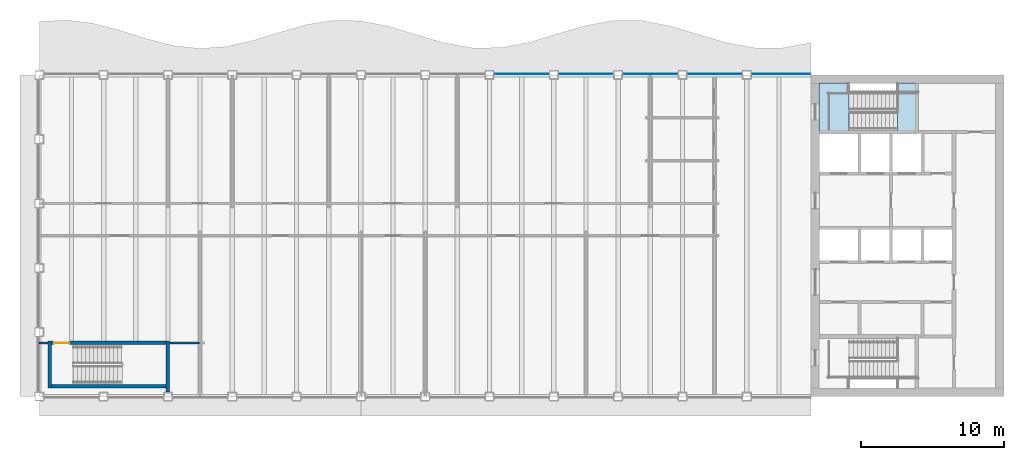
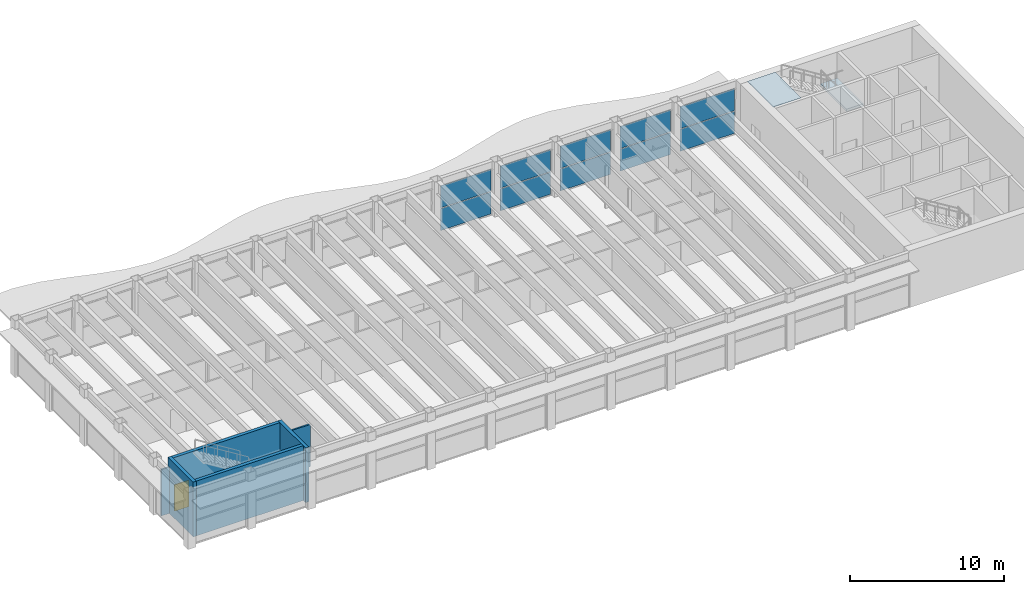
# One storey, part 8 of 15: 10 plates, 6 walls, 2 slabs, 1 door, 1 opening, 6 elements without a shape of their own.
"""IFC4 building model written with IfcOpenShell, lengths in metres."""

from ifc_helpers import new_model, si_unit, direction, frame, frame_2d, origin, origin_2d, place, context, subcontext, project, spatial, polyline, rectangle, outline, extrude, material, layer, layer_set, type_object, element, fill, aggregate, save


model = new_model("IFC4")

# Units and contexts
model_context = context("Model", 3, precision=1e-05, world=origin(), true_north=direction((0.0, 1.0)))
body_context = subcontext(model_context, "Body", "Model", "MODEL_VIEW")
ifc_project = project(units=[si_unit("LENGTHUNIT", "METRE"), si_unit("AREAUNIT", "SQUARE_METRE"), si_unit("VOLUMEUNIT", "CUBIC_METRE"), si_unit("PLANEANGLEUNIT", "RADIAN"), si_unit("MASSUNIT", "GRAM", prefix="KILO")], contexts=[model_context])

# Site, building, storey
site_placement = place(None, origin())
site = spatial("IfcSite", under=ifc_project, at=site_placement, CompositionType="ELEMENT")
building_placement = place(site_placement, origin())
building = spatial("IfcBuilding", under=site, at=building_placement, Name="Sennacour Bend Tower", CompositionType="ELEMENT")
storey_placement = place(building_placement, frame((0.0, 0.0, 318.5)))
storey = spatial("IfcBuildingStorey", under=building, at=storey_placement, Name="L73", CompositionType="ELEMENT", Elevation=318.5)

# Curtain wall, plates
ifc_material_1 = material(Name="Bronze anodised aluminium curtain wall with clear glass", Category="aluminium")
curtain_wall_type = type_object("IfcCurtainWallType", Name="CURTAIN WALL EXEC", PredefinedType="NOTDEFINED", material=ifc_material_1)
curtain_wall_1_placement = place(storey_placement, origin())
curtain_wall_1 = element("IfcCurtainWall", 1, at=curtain_wall_1_placement, inside=storey, type_object=curtain_wall_type, Name="Executive floor glass wall L73", PredefinedType="NOTDEFINED")
ifc_material_2 = material(Name="Clear low-emissivity glass", Category="glass")
ifc_layer_1 = layer(ifc_material_2, 0.031982421875, Name="Clear low-emissivity glass", Category="glass")
ifc_layer_set_1 = layer_set([ifc_layer_1], Name="Clear low-emissivity glass")
plate_type = type_object("IfcPlateType", Name="PNL-GLASS-IGU32", PredefinedType="CURTAIN_PANEL", material=ifc_layer_set_1)
plate_1_placement = place(storey_placement, frame((51.89990234375, 22.574951171875, 0.06005859375), z_axis=(0.0, 0.0, 1.0), x_axis=(-1.0, 0.0, 0.0)))
plate_1 = element("IfcPlate", 2, at=plate_1_placement, type_object=plate_type, Name="GW3 curtain wall panel 1.1", PredefinedType="CURTAIN_PANEL", context=body_context, shape_type="SweptSolid", body=[
    extrude(rectangle(XDim=4.080078125, YDim=0.031982421875, at=origin_2d()), origin(), (0.0, 0.0, 1.0), 1.74609375),
])
plate_2_placement = place(storey_placement, frame((51.89990234375, 22.574951171875, 1.865966796875), z_axis=(0.0, 0.0, 1.0), x_axis=(-1.0, 0.0, 0.0)))
plate_2 = element("IfcPlate", 3, at=plate_2_placement, type_object=plate_type, Name="GW3 curtain wall panel 1.2", PredefinedType="CURTAIN_PANEL", context=body_context, shape_type="SweptSolid", body=[
    extrude(rectangle(XDim=4.080078125, YDim=0.031982421875, at=origin_2d()), origin(), (0.0, 0.0, 1.0), 1.74609375),
])
aggregate(curtain_wall_1, [plate_1, plate_2])

curtain_wall_2_placement = place(storey_placement, origin())
curtain_wall_2 = element("IfcCurtainWall", 4, at=curtain_wall_2_placement, inside=storey, type_object=curtain_wall_type, Name="Executive floor glass wall L73", PredefinedType="NOTDEFINED")
plate_3_placement = place(storey_placement, frame((47.25, 22.574951171875, 0.06005859375), z_axis=(0.0, 0.0, 1.0), x_axis=(-1.0, 0.0, 0.0)))
plate_3 = element("IfcPlate", 5, at=plate_3_placement, type_object=plate_type, Name="GW3 curtain wall panel 1.1", PredefinedType="CURTAIN_PANEL", context=body_context, shape_type="SweptSolid", body=[
    extrude(rectangle(XDim=3.780029296875, YDim=0.031982421875, at=origin_2d()), origin(), (0.0, 0.0, 1.0), 1.74609375),
])
plate_4_placement = place(storey_placement, frame((47.25, 22.574951171875, 1.865966796875), z_axis=(0.0, 0.0, 1.0), x_axis=(-1.0, 0.0, 0.0)))
plate_4 = element("IfcPlate", 6, at=plate_4_placement, type_object=plate_type, Name="GW3 curtain wall panel 1.2", PredefinedType="CURTAIN_PANEL", context=body_context, shape_type="SweptSolid", body=[
    extrude(rectangle(XDim=3.780029296875, YDim=0.031982421875, at=origin_2d()), origin(), (0.0, 0.0, 1.0), 1.74609375),
])
aggregate(curtain_wall_2, [plate_3, plate_4])

curtain_wall_3_placement = place(storey_placement, origin())
curtain_wall_3 = element("IfcCurtainWall", 7, at=curtain_wall_3_placement, inside=storey, type_object=curtain_wall_type, Name="Executive floor glass wall L73", PredefinedType="NOTDEFINED")
plate_5_placement = place(storey_placement, frame((42.75, 22.574951171875, 0.06005859375), z_axis=(0.0, 0.0, 1.0), x_axis=(-1.0, 0.0, 0.0)))
plate_5 = element("IfcPlate", 8, at=plate_5_placement, type_object=plate_type, Name="GW3 curtain wall panel 1.1", PredefinedType="CURTAIN_PANEL", context=body_context, shape_type="SweptSolid", body=[
    extrude(rectangle(XDim=3.780029296875, YDim=0.031982421875, at=origin_2d()), origin(), (0.0, 0.0, 1.0), 1.74609375),
])
plate_6_placement = place(storey_placement, frame((42.75, 22.574951171875, 1.865966796875), z_axis=(0.0, 0.0, 1.0), x_axis=(-1.0, 0.0, 0.0)))
plate_6 = element("IfcPlate", 9, at=plate_6_placement, type_object=plate_type, Name="GW3 curtain wall panel 1.2", PredefinedType="CURTAIN_PANEL", context=body_context, shape_type="SweptSolid", body=[
    extrude(rectangle(XDim=3.780029296875, YDim=0.031982421875, at=origin_2d()), origin(), (0.0, 0.0, 1.0), 1.74609375),
])
aggregate(curtain_wall_3, [plate_5, plate_6])

curtain_wall_4_placement = place(storey_placement, origin())
curtain_wall_4 = element("IfcCurtainWall", 10, at=curtain_wall_4_placement, inside=storey, type_object=curtain_wall_type, Name="Executive floor glass wall L73", PredefinedType="NOTDEFINED")
plate_7_placement = place(storey_placement, frame((38.25, 22.574951171875, 0.06005859375), z_axis=(0.0, 0.0, 1.0), x_axis=(-1.0, 0.0, 0.0)))
plate_7 = element("IfcPlate", 11, at=plate_7_placement, type_object=plate_type, Name="GW3 curtain wall panel 1.1", PredefinedType="CURTAIN_PANEL", context=body_context, shape_type="SweptSolid", body=[
    extrude(rectangle(XDim=3.780029296875, YDim=0.031982421875, at=origin_2d()), origin(), (0.0, 0.0, 1.0), 1.74609375),
])
plate_8_placement = place(storey_placement, frame((38.25, 22.574951171875, 1.865966796875), z_axis=(0.0, 0.0, 1.0), x_axis=(-1.0, 0.0, 0.0)))
plate_8 = element("IfcPlate", 12, at=plate_8_placement, type_object=plate_type, Name="GW3 curtain wall panel 1.2", PredefinedType="CURTAIN_PANEL", context=body_context, shape_type="SweptSolid", body=[
    extrude(rectangle(XDim=3.780029296875, YDim=0.031982421875, at=origin_2d()), origin(), (0.0, 0.0, 1.0), 1.74609375),
])
aggregate(curtain_wall_4, [plate_7, plate_8])

curtain_wall_5_placement = place(storey_placement, origin())
curtain_wall_5 = element("IfcCurtainWall", 13, at=curtain_wall_5_placement, inside=storey, type_object=curtain_wall_type, Name="Executive floor glass wall L73", PredefinedType="NOTDEFINED")
plate_9_placement = place(storey_placement, frame((33.75, 22.574951171875, 0.06005859375), z_axis=(0.0, 0.0, 1.0), x_axis=(-1.0, 0.0, 0.0)))
plate_9 = element("IfcPlate", 14, at=plate_9_placement, type_object=plate_type, Name="GW3 curtain wall panel 1.1", PredefinedType="CURTAIN_PANEL", context=body_context, shape_type="SweptSolid", body=[
    extrude(rectangle(XDim=3.780029296875, YDim=0.031982421875, at=origin_2d()), origin(), (0.0, 0.0, 1.0), 1.74609375),
])
plate_10_placement = place(storey_placement, frame((33.75, 22.574951171875, 1.865966796875), z_axis=(0.0, 0.0, 1.0), x_axis=(-1.0, 0.0, 0.0)))
plate_10 = element("IfcPlate", 15, at=plate_10_placement, type_object=plate_type, Name="GW3 curtain wall panel 1.2", PredefinedType="CURTAIN_PANEL", context=body_context, shape_type="SweptSolid", body=[
    extrude(rectangle(XDim=3.780029296875, YDim=0.031982421875, at=origin_2d()), origin(), (0.0, 0.0, 1.0), 1.74609375),
])
aggregate(curtain_wall_5, [plate_9, plate_10])

# Slab
ifc_material_3 = material(Name="Concrete C40/50", Category="concrete")
ifc_layer_2 = layer(ifc_material_3, 0.034912109375, Name="Concrete C40/50", Category="concrete")
ifc_layer_set_2 = layer_set([ifc_layer_2], Name="Concrete C40/50")
slab_type_1 = type_object("IfcSlabType", Name="Stair arrival nib 35", PredefinedType="FLOOR", material=ifc_layer_set_2)
slab_1_placement = place(storey_placement, frame((0.0, 0.0, 4.315185546875)))
element("IfcSlab", 16, at=slab_1_placement, inside=storey, type_object=slab_type_1, Name="L73 SA2 stair arrival nib", PredefinedType="FLOOR", context=body_context, shape_type="SweptSolid", body=[
    extrude(outline(polyline([(56.64208984375, 21.949951171875), (54.550048828125, 21.949951171875), (54.550048828125, 18.574951171875), (56.64208984375, 18.574951171875), (56.64208984375, 21.949951171875)])), origin(), (0.0, 0.0, 1.0), 0.034912109375),
])

# Stair, slab
stair_type = type_object("IfcStairType", Name="ST-DOGLEG", PredefinedType="HALF_TURN_STAIR", material=ifc_material_3)
stair_placement = place(storey_placement, origin())
stair = element("IfcStair", 17, at=stair_placement, inside=storey, type_object=stair_type, Name="L73 Exit stair A2", PredefinedType="HALF_TURN_STAIR")
ifc_layer_3 = layer(ifc_material_3, 0.199951171875, Name="Concrete C40/50", Category="concrete")
ifc_layer_set_3 = layer_set([ifc_layer_3], Name="Concrete C40/50")
slab_type_2 = type_object("IfcSlabType", Name="Stair landing 200", PredefinedType="LANDING", material=ifc_layer_set_3)
slab_2_placement = place(storey_placement, frame((0.0, 0.0, 2.050048828125)))
slab_2 = element("IfcSlab", 18, at=slab_2_placement, type_object=slab_type_2, Name="SA2 landing 1", PredefinedType="LANDING", context=body_context, shape_type="SweptSolid", body=[
    extrude(outline(polyline([(60.06005859375, 18.574951171875), (61.324951171875, 18.574951171875), (61.324951171875, 21.949951171875), (60.06005859375, 21.949951171875), (60.06005859375, 18.574951171875)])), origin(), (0.0, 0.0, 1.0), 0.199951171875),
])
aggregate(stair, [slab_2])

# Walls
ifc_material_4 = material(Name="Plasterboard partition on steel studs", Category="steel")
ifc_layer_4 = layer(ifc_material_4, 0.1201171875, Name="Plasterboard partition on steel studs", Category="steel")
ifc_layer_set_4 = layer_set([ifc_layer_4], Name="Plasterboard partition on steel studs")
wall_type_1 = type_object("IfcWallType", Name="Partition 120", PredefinedType="PARTITIONING", material=ifc_layer_set_4)
wall_1_placement = place(storey_placement, frame((0.010009765625, 3.75, 0.0), z_axis=(0.0, 0.0, 1.0), x_axis=(1.0, 0.0, 0.0)))
element("IfcWall", 19, at=wall_1_placement, inside=storey, type_object=wall_type_1, Name="P-L73-W029a", PredefinedType="PARTITIONING", context=body_context, shape_type="SweptSolid", body=[
    extrude(rectangle(XDim=0.590087890625, YDim=0.1201171875, at=frame_2d((0.294921875, 0.0))), origin(), (0.0, 0.0, 1.0), 3.672119140625),
])
wall_2_placement = place(storey_placement, frame((9.125, 3.75, 0.0), z_axis=(0.0, 0.0, 1.0), x_axis=(1.0, 0.0, 0.0)))
element("IfcWall", 20, at=wall_2_placement, inside=storey, type_object=wall_type_1, Name="P-L73-W031aa", PredefinedType="PARTITIONING", context=body_context, shape_type="SweptSolid", body=[
    extrude(rectangle(XDim=2.06494140625, YDim=0.1201171875, at=frame_2d((1.032470703125, 0.0))), origin(), (0.0, 0.0, 1.0), 3.35888671875),
])
ifc_material_5 = material(Name="Concrete C60/75", Category="concrete")
ifc_layer_5 = layer(ifc_material_5, 0.25, Name="Concrete C60/75", Category="concrete")
ifc_layer_set_5 = layer_set([ifc_layer_5], Name="Concrete C60/75")
wall_type_2 = type_object("IfcWallType", Name="Stair wall 250", PredefinedType="SHEAR", material=ifc_layer_set_5)
wall_3_placement = place(storey_placement, frame((0.72509765625, 0.60009765625, 0.0), z_axis=(0.0, 0.0, 1.0), x_axis=(0.0, 1.0, 0.0)))
element("IfcWall", 21, at=wall_3_placement, inside=storey, type_object=wall_type_2, Name="P-L73-W002", PredefinedType="SHEAR", context=body_context, shape_type="SweptSolid", body=[
    extrude(rectangle(XDim=3.27490234375, YDim=0.25, at=frame_2d((1.637451171875, 0.0))), origin(), (0.0, 0.0, 1.0), 4.35009765625),
])
wall_4_placement = place(storey_placement, frame((9.0, 0.300048828125, 0.0), z_axis=(0.0, 0.0, 1.0), x_axis=(0.0, 1.0, 0.0)))
element("IfcWall", 22, at=wall_4_placement, inside=storey, type_object=wall_type_2, Name="P-L73-W003", PredefinedType="SHEAR", context=body_context, shape_type="SweptSolid", body=[
    extrude(rectangle(XDim=3.574951171875, YDim=0.25, at=frame_2d((1.78759765625, 0.0))), origin(), (0.0, 0.0, 1.0), 4.35009765625),
])
wall_5_placement = place(storey_placement, frame((0.85009765625, 0.72509765625, 0.0), z_axis=(0.0, 0.0, 1.0), x_axis=(1.0, 0.0, 0.0)))
element("IfcWall", 23, at=wall_5_placement, inside=storey, type_object=wall_type_2, Name="P-L73-W028", PredefinedType="SHEAR", context=body_context, shape_type="SweptSolid", body=[
    extrude(rectangle(XDim=8.02490234375, YDim=0.25, at=frame_2d((4.012451171875, 0.0))), origin(), (0.0, 0.0, 1.0), 4.35009765625),
])

# Wall, opening, door
wall_6_placement = place(storey_placement, frame((0.85009765625, 3.75, 0.0), z_axis=(0.0, 0.0, 1.0), x_axis=(1.0, 0.0, 0.0)))
wall_6 = element("IfcWall", 24, at=wall_6_placement, inside=storey, type_object=wall_type_2, Name="P-L73-W030", PredefinedType="SHEAR", context=body_context, shape_type="SweptSolid", body=[
    extrude(rectangle(XDim=8.02490234375, YDim=0.25, at=frame_2d((4.012451171875, 0.0))), origin(), (0.0, 0.0, 1.0), 4.35009765625),
])
opening_placement = place(wall_6_placement, frame((0.14990234375, 0.0, 0.0)))
opening = element("IfcOpeningElement", 25, at=opening_placement, cuts=wall_6, Name="Opening SD", PredefinedType="OPENING", context=body_context, shape_type="SweptSolid", body=[
    extrude(rectangle(XDim=1.10009765625, YDim=2.10009765625, at=frame_2d((0.550048828125, 1.050048828125))), frame((0.0, 0.135009765625, 0.0), z_axis=(0.0, -1.0, 0.0), x_axis=(1.0, 0.0, 0.0)), (0.0, 0.0, 1.0), 0.27001953125),
])
ifc_material_6 = material(Name="Painted steel", Category="steel")
door_type = type_object("IfcDoorType", Name="DR-STAIR-1100", OperationType="NOTDEFINED", PredefinedType="DOOR", material=ifc_material_6)
door_placement = place(opening_placement, origin())
door = element("IfcDoor", 26, at=door_placement, inside=storey, type_object=door_type, Name="Door", OperationType="SINGLE_SWING_LEFT", OverallHeight=2.10009765625, OverallWidth=1.10009765625, PredefinedType="DOOR", context=body_context, shape_type="SweptSolid", body=[
    extrude(rectangle(XDim=1.10009765625, YDim=2.10009765625, at=frame_2d((0.550048828125, 1.050048828125))), frame((0.0, 0.02490234375, 0.0), z_axis=(0.0, -1.0, 0.0), x_axis=(1.0, 0.0, 0.0)), (0.0, 0.0, 1.0), 0.050048828125),
])
fill(opening, door)

save(model, "model.ifc")
